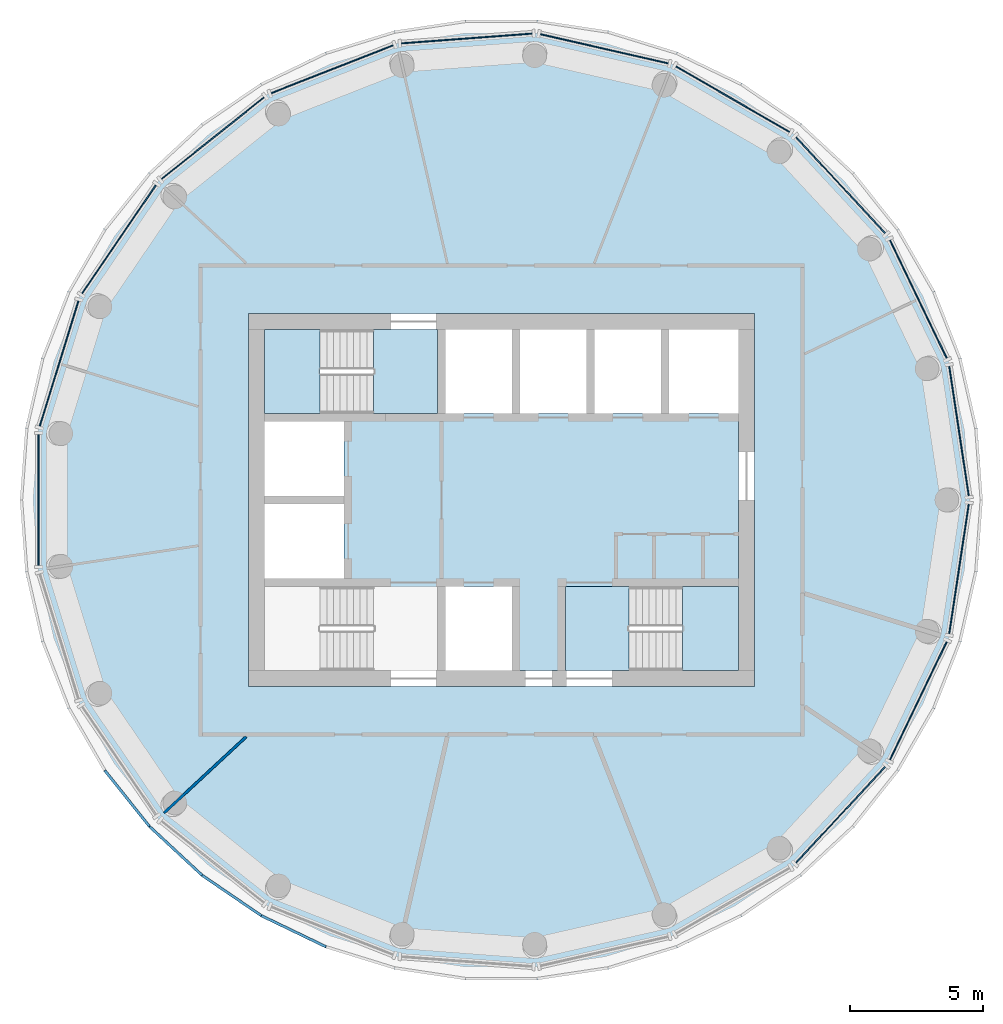
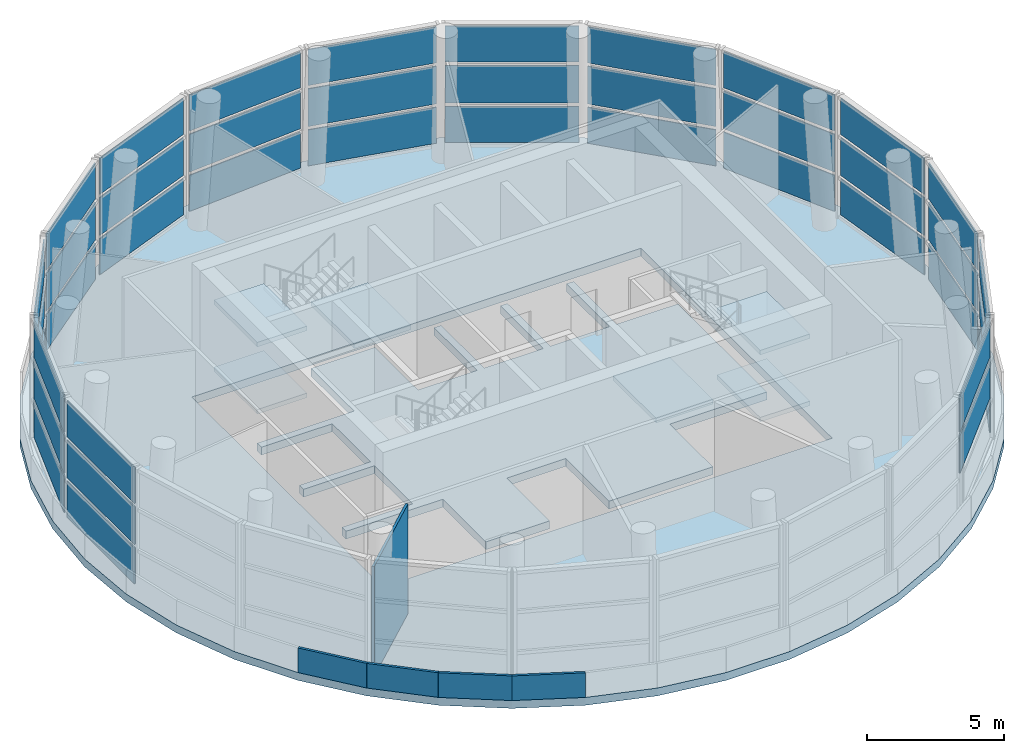
# One storey, part 4 of 10: 41 plates, 8 slabs, 5 walls, 16 elements without a shape of their own.
"""IFC4 building model written with IfcOpenShell, lengths in metres."""

from ifc_helpers import new_model, si_unit, direction, frame, frame_2d, origin, origin_2d, place, context, subcontext, project, spatial, polyline, rectangle, outline, extrude, material, layer, layer_set, type_object, element, aggregate, save


model = new_model("IFC4")

# Units and contexts
model_context = context("Model", 3, precision=1e-05, world=origin(), true_north=direction((0.0, 1.0)))
body_context = subcontext(model_context, "Body", "Model", "MODEL_VIEW")
ifc_project = project(units=[si_unit("LENGTHUNIT", "METRE"), si_unit("AREAUNIT", "SQUARE_METRE"), si_unit("VOLUMEUNIT", "CUBIC_METRE"), si_unit("PLANEANGLEUNIT", "RADIAN"), si_unit("MASSUNIT", "GRAM", prefix="KILO")], contexts=[model_context])

# Site, building, storey
site_placement = place(None, origin())
site = spatial("IfcSite", under=ifc_project, at=site_placement, CompositionType="ELEMENT")
building_placement = place(site_placement, origin())
building = spatial("IfcBuilding", under=site, at=building_placement, Name="Tracery Tower", CompositionType="ELEMENT")
storey_placement = place(building_placement, frame((0.0, 0.0, 352.199951171875)))
storey = spatial("IfcBuildingStorey", under=building, at=storey_placement, Name="L90", CompositionType="ELEMENT", Elevation=352.199951171875)

# Slabs
ifc_material_1 = material(Name="Concrete C40/50", Category="concrete")
ifc_layer_1 = layer(ifc_material_1, 0.35009765625)
ifc_layer_set_1 = layer_set([ifc_layer_1], Name="Core floor slab 350 C40")
slab_type_1 = type_object("IfcSlabType", Name="Core floor slab 350 C40", PredefinedType="FLOOR", material=ifc_layer_set_1)
slab_1_placement = place(storey_placement, frame((0.0, 0.0, -0.349853515625)))
element("IfcSlab", 1, at=slab_1_placement, inside=storey, type_object=slab_type_1, Name="L90 core floor 1", PredefinedType="FLOOR", context=body_context, shape_type="SweptSolid", body=[
    extrude(outline(polyline([(-4.800537109375, -3.25), (-8.89990234375, -3.25), (-8.89990234375, -2.949951171875), (-5.89990234375, -2.949951171875), (-5.89990234375, -0.14990234375), (-8.89990234375, -0.14990234375), (-8.89990234375, 0.14990234375), (-5.89990234375, 0.14990234375), (-5.89990234375, 2.949951171875), (-8.89990234375, 2.949951171875), (-8.89990234375, 3.25), (-4.800537109375, 3.25), (-4.800537109375, 6.39990234375), (-2.10009765625, 6.39990234375), (-2.10009765625, 3.25), (0.39990234375, 3.25), (0.39990234375, 6.39990234375), (0.699951171875, 6.39990234375), (0.699951171875, 3.25), (3.199951171875, 3.25), (3.199951171875, 6.39990234375), (3.5, 6.39990234375), (3.5, 3.25), (6.0, 3.25), (6.0, 6.39990234375), (6.300048828125, 6.39990234375), (6.300048828125, 3.25), (8.89990234375, 3.25), (8.89990234375, -3.25), (4.800537109375, -3.25), (4.800537109375, -6.39990234375), (0.39990234375, -6.39990234375), (0.39990234375, -3.25), (-2.10009765625, -3.25), (-2.10009765625, -6.39990234375), (-4.800537109375, -6.39990234375), (-4.800537109375, -3.25)])), origin(), (0.0, 0.0, 1.0), 0.349853515625),
])
ifc_material_2 = material(Name="Concrete C40/50", Category="concrete")
ifc_layer_2 = layer(ifc_material_2, 0.35009765625)
ifc_layer_set_2 = layer_set([ifc_layer_2], Name="Crown floor slab 350")
slab_type_2 = type_object("IfcSlabType", Name="Crown floor slab 350", PredefinedType="FLOOR", material=ifc_layer_set_2)
slab_2_placement = place(storey_placement, frame((0.0, 0.0, -0.349853515625)))
element("IfcSlab", 2, at=slab_2_placement, inside=storey, type_object=slab_type_2, Name="Floor slab L90", PredefinedType="FLOOR", context=body_context, shape_type="SweptSolid", body=[
    extrude(outline(polyline([(17.269287109375, -5.326904296875), (17.870361328125, -2.693603515625), (18.072265625, 0.0), (17.870361328125, 2.693603515625), (17.269287109375, 5.326904296875), (16.282470703125, 7.84130859375), (14.931884765625, 10.180419921875), (13.247802734375, 12.292236328125), (11.267822265625, 14.12939453125), (9.0361328125, 15.65087890625), (6.6025390625, 16.822998046875), (4.021484375, 17.619140625), (1.3505859375, 18.021728515625), (-1.3505859375, 18.021728515625), (-4.021484375, 17.619140625), (-6.6025390625, 16.822998046875), (-9.0361328125, 15.65087890625), (-11.267822265625, 14.12939453125), (-13.247802734375, 12.292236328125), (-14.931884765625, 10.180419921875), (-16.282470703125, 7.84130859375), (-17.269287109375, 5.326904296875), (-17.870361328125, 2.693603515625), (-18.072265625, 0.0), (-17.870361328125, -2.693603515625), (-17.269287109375, -5.326904296875), (-16.282470703125, -7.84130859375), (-14.931884765625, -10.180419921875), (-13.247802734375, -12.292236328125), (-11.267822265625, -14.12939453125), (-9.0361328125, -15.65087890625), (-6.6025390625, -16.822998046875), (-4.021484375, -17.619140625), (-1.3505859375, -18.021728515625), (1.3505859375, -18.021728515625), (4.021484375, -17.619140625), (6.6025390625, -16.822998046875), (9.0361328125, -15.65087890625), (11.267822265625, -14.12939453125), (13.247802734375, -12.292236328125), (14.931884765625, -10.180419921875), (16.282470703125, -7.84130859375), (17.269287109375, -5.326904296875)]), holes=[polyline([(-9.5, -7.0), (9.5, -7.0), (9.5, 7.0), (-9.5, 7.0), (-9.5, -7.0)])]), origin(), (0.0, 0.0, 1.0), 0.349853515625),
])

# Curtain wall, plates
ifc_material_3 = material(Name="Aluminium curtain wall with tinted glass", Category="aluminium")
curtain_wall_type = type_object("IfcCurtainWallType", Name="Observation upper deck glazing curtain wall", PredefinedType="NOTDEFINED", material=ifc_material_3)
curtain_wall_1_placement = place(storey_placement, origin())
curtain_wall_1 = element("IfcCurtainWall", 3, at=curtain_wall_1_placement, inside=storey, type_object=curtain_wall_type, Name="Observation upper deck glazing run 00", PredefinedType="NOTDEFINED")
ifc_material_4 = material(Name="Tinted laminated glass", Category="glass")
ifc_layer_3 = layer(ifc_material_4, 0.048095703125)
ifc_layer_set_3 = layer_set([ifc_layer_3], Name="Observation upper deck glazing glass panel 48")
plate_type = type_object("IfcPlateType", Name="Observation upper deck glazing glass panel 48", PredefinedType="CURTAIN_PANEL", material=ifc_layer_set_3)
plate_1_placement = place(storey_placement, frame((17.181884765625, 2.58984375, 0.14990234375), z_axis=(0.0, 0.0, 1.0), x_axis=(-0.149033444728, 0.988832155804, 0.0)))
plate_1 = element("IfcPlate", 4, at=plate_1_placement, type_object=plate_type, Name="CWB5 panel 1.1", PredefinedType="CURTAIN_PANEL", context=body_context, shape_type="SweptSolid", body=[
    extrude(rectangle(XDim=4.91796875, YDim=0.048095703125, at=origin_2d()), origin(), (0.0, 0.0, 1.0), 1.6083984375),
])
plate_2_placement = place(storey_placement, frame((17.181884765625, 2.58984375, 1.908203125), z_axis=(0.0, 0.0, 1.0), x_axis=(-0.149033444728, 0.988832155804, 0.0)))
plate_2 = element("IfcPlate", 5, at=plate_2_placement, type_object=plate_type, Name="CWB5 panel 1.2", PredefinedType="CURTAIN_PANEL", context=body_context, shape_type="SweptSolid", body=[
    extrude(rectangle(XDim=4.91796875, YDim=0.048095703125, at=origin_2d()), origin(), (0.0, 0.0, 1.0), 1.683349609375),
])
plate_3_placement = place(storey_placement, frame((17.181884765625, 2.58984375, 3.74169921875), z_axis=(0.0, 0.0, 1.0), x_axis=(-0.149033444728, 0.988832155804, 0.0)))
plate_3 = element("IfcPlate", 6, at=plate_3_placement, type_object=plate_type, Name="CWB5 panel 1.3", PredefinedType="CURTAIN_PANEL", context=body_context, shape_type="SweptSolid", body=[
    extrude(rectangle(XDim=4.91796875, YDim=0.048095703125, at=origin_2d()), origin(), (0.0, 0.0, 1.0), 1.6083984375),
])
aggregate(curtain_wall_1, [plate_1, plate_2, plate_3])

curtain_wall_2_placement = place(storey_placement, origin())
curtain_wall_2 = element("IfcCurtainWall", 7, at=curtain_wall_2_placement, inside=storey, type_object=curtain_wall_type, Name="Observation upper deck glazing run 01", PredefinedType="NOTDEFINED")
plate_4_placement = place(storey_placement, frame((15.6552734375, 7.5390625, 0.14990234375), z_axis=(0.0, 0.0, 1.0), x_axis=(-0.433887898778, 0.900966864704, 0.0)))
plate_4 = element("IfcPlate", 8, at=plate_4_placement, type_object=plate_type, Name="CWB5 panel 1.1", PredefinedType="CURTAIN_PANEL", context=body_context, shape_type="SweptSolid", body=[
    extrude(rectangle(XDim=4.91796875, YDim=0.048095703125, at=origin_2d()), origin(), (0.0, 0.0, 1.0), 1.6083984375),
])
plate_5_placement = place(storey_placement, frame((15.6552734375, 7.5390625, 1.908203125), z_axis=(0.0, 0.0, 1.0), x_axis=(-0.433887898778, 0.900966864704, 0.0)))
plate_5 = element("IfcPlate", 9, at=plate_5_placement, type_object=plate_type, Name="CWB5 panel 1.2", PredefinedType="CURTAIN_PANEL", context=body_context, shape_type="SweptSolid", body=[
    extrude(rectangle(XDim=4.91796875, YDim=0.048095703125, at=origin_2d()), origin(), (0.0, 0.0, 1.0), 1.683349609375),
])
plate_6_placement = place(storey_placement, frame((15.6552734375, 7.5390625, 3.74169921875), z_axis=(0.0, 0.0, 1.0), x_axis=(-0.433887898778, 0.900966864704, 0.0)))
plate_6 = element("IfcPlate", 10, at=plate_6_placement, type_object=plate_type, Name="CWB5 panel 1.3", PredefinedType="CURTAIN_PANEL", context=body_context, shape_type="SweptSolid", body=[
    extrude(rectangle(XDim=4.91796875, YDim=0.048095703125, at=origin_2d()), origin(), (0.0, 0.0, 1.0), 1.6083984375),
])
aggregate(curtain_wall_2, [plate_4, plate_5, plate_6])

curtain_wall_3_placement = place(storey_placement, origin())
curtain_wall_3 = element("IfcCurtainWall", 11, at=curtain_wall_3_placement, inside=storey, type_object=curtain_wall_type, Name="Observation upper deck glazing run 02", PredefinedType="NOTDEFINED")
plate_7_placement = place(storey_placement, frame((12.737548828125, 11.818603515625, 0.14990234375), z_axis=(0.0, 0.0, 1.0), x_axis=(-0.680167727071, 0.733056521048, 0.0)))
plate_7 = element("IfcPlate", 12, at=plate_7_placement, type_object=plate_type, Name="CWB5 panel 1.1", PredefinedType="CURTAIN_PANEL", context=body_context, shape_type="SweptSolid", body=[
    extrude(rectangle(XDim=4.91796875, YDim=0.048095703125, at=origin_2d()), origin(), (0.0, 0.0, 1.0), 1.6083984375),
])
plate_8_placement = place(storey_placement, frame((12.737548828125, 11.818603515625, 1.908203125), z_axis=(0.0, 0.0, 1.0), x_axis=(-0.680167727071, 0.733056521048, 0.0)))
plate_8 = element("IfcPlate", 13, at=plate_8_placement, type_object=plate_type, Name="CWB5 panel 1.2", PredefinedType="CURTAIN_PANEL", context=body_context, shape_type="SweptSolid", body=[
    extrude(rectangle(XDim=4.91796875, YDim=0.048095703125, at=origin_2d()), origin(), (0.0, 0.0, 1.0), 1.683349609375),
])
plate_9_placement = place(storey_placement, frame((12.737548828125, 11.818603515625, 3.74169921875), z_axis=(0.0, 0.0, 1.0), x_axis=(-0.680167727071, 0.733056521048, 0.0)))
plate_9 = element("IfcPlate", 14, at=plate_9_placement, type_object=plate_type, Name="CWB5 panel 1.3", PredefinedType="CURTAIN_PANEL", context=body_context, shape_type="SweptSolid", body=[
    extrude(rectangle(XDim=4.91796875, YDim=0.048095703125, at=origin_2d()), origin(), (0.0, 0.0, 1.0), 1.6083984375),
])
aggregate(curtain_wall_3, [plate_7, plate_8, plate_9])

curtain_wall_4_placement = place(storey_placement, origin())
curtain_wall_4 = element("IfcCurtainWall", 15, at=curtain_wall_4_placement, inside=storey, type_object=curtain_wall_type, Name="Observation upper deck glazing run 03", PredefinedType="NOTDEFINED")
plate_10_placement = place(storey_placement, frame((8.68798828125, 15.048095703125, 0.14990234375), z_axis=(0.0, 0.0, 1.0), x_axis=(-0.866022542521, 0.500004955821, 0.0)))
plate_10 = element("IfcPlate", 16, at=plate_10_placement, type_object=plate_type, Name="CWB5 panel 1.1", PredefinedType="CURTAIN_PANEL", context=body_context, shape_type="SweptSolid", body=[
    extrude(rectangle(XDim=4.91796875, YDim=0.048095703125, at=origin_2d()), origin(), (0.0, 0.0, 1.0), 1.6083984375),
])
plate_11_placement = place(storey_placement, frame((8.68798828125, 15.048095703125, 1.908203125), z_axis=(0.0, 0.0, 1.0), x_axis=(-0.866022542521, 0.500004955821, 0.0)))
plate_11 = element("IfcPlate", 17, at=plate_11_placement, type_object=plate_type, Name="CWB5 panel 1.2", PredefinedType="CURTAIN_PANEL", context=body_context, shape_type="SweptSolid", body=[
    extrude(rectangle(XDim=4.91796875, YDim=0.048095703125, at=origin_2d()), origin(), (0.0, 0.0, 1.0), 1.683349609375),
])
plate_12_placement = place(storey_placement, frame((8.68798828125, 15.048095703125, 3.74169921875), z_axis=(0.0, 0.0, 1.0), x_axis=(-0.866022542521, 0.500004955821, 0.0)))
plate_12 = element("IfcPlate", 18, at=plate_12_placement, type_object=plate_type, Name="CWB5 panel 1.3", PredefinedType="CURTAIN_PANEL", context=body_context, shape_type="SweptSolid", body=[
    extrude(rectangle(XDim=4.91796875, YDim=0.048095703125, at=origin_2d()), origin(), (0.0, 0.0, 1.0), 1.6083984375),
])
aggregate(curtain_wall_4, [plate_10, plate_11, plate_12])

curtain_wall_5_placement = place(storey_placement, origin())
curtain_wall_5 = element("IfcCurtainWall", 19, at=curtain_wall_5_placement, inside=storey, type_object=curtain_wall_type, Name="Observation upper deck glazing run 04", PredefinedType="NOTDEFINED")
plate_13_placement = place(storey_placement, frame((3.866455078125, 16.940185546875, 0.14990234375), z_axis=(0.0, 0.0, 1.0), x_axis=(-0.974925604531, 0.222531044196, 0.0)))
plate_13 = element("IfcPlate", 20, at=plate_13_placement, type_object=plate_type, Name="CWB5 panel 1.1", PredefinedType="CURTAIN_PANEL", context=body_context, shape_type="SweptSolid", body=[
    extrude(rectangle(XDim=4.91796875, YDim=0.048095703125, at=origin_2d()), origin(), (0.0, 0.0, 1.0), 1.6083984375),
])
plate_14_placement = place(storey_placement, frame((3.866455078125, 16.940185546875, 1.908203125), z_axis=(0.0, 0.0, 1.0), x_axis=(-0.974925604531, 0.222531044196, 0.0)))
plate_14 = element("IfcPlate", 21, at=plate_14_placement, type_object=plate_type, Name="CWB5 panel 1.2", PredefinedType="CURTAIN_PANEL", context=body_context, shape_type="SweptSolid", body=[
    extrude(rectangle(XDim=4.91796875, YDim=0.048095703125, at=origin_2d()), origin(), (0.0, 0.0, 1.0), 1.683349609375),
])
plate_15_placement = place(storey_placement, frame((3.866455078125, 16.940185546875, 3.74169921875), z_axis=(0.0, 0.0, 1.0), x_axis=(-0.974925604531, 0.222531044196, 0.0)))
plate_15 = element("IfcPlate", 22, at=plate_15_placement, type_object=plate_type, Name="CWB5 panel 1.3", PredefinedType="CURTAIN_PANEL", context=body_context, shape_type="SweptSolid", body=[
    extrude(rectangle(XDim=4.91796875, YDim=0.048095703125, at=origin_2d()), origin(), (0.0, 0.0, 1.0), 1.6083984375),
])
aggregate(curtain_wall_5, [plate_13, plate_14, plate_15])

curtain_wall_6_placement = place(storey_placement, origin())
curtain_wall_6 = element("IfcCurtainWall", 23, at=curtain_wall_6_placement, inside=storey, type_object=curtain_wall_type, Name="Observation upper deck glazing run 05", PredefinedType="NOTDEFINED")
plate_16_placement = place(storey_placement, frame((-1.298583984375, 17.327392578125, 0.14990234375), z_axis=(0.0, 0.0, 1.0), x_axis=(-0.997203212491, -0.074737895326, 0.0)))
plate_16 = element("IfcPlate", 24, at=plate_16_placement, type_object=plate_type, Name="CWB5 panel 1.1", PredefinedType="CURTAIN_PANEL", context=body_context, shape_type="SweptSolid", body=[
    extrude(rectangle(XDim=4.91796875, YDim=0.048095703125, at=origin_2d()), origin(), (0.0, 0.0, 1.0), 1.6083984375),
])
plate_17_placement = place(storey_placement, frame((-1.298583984375, 17.327392578125, 1.908203125), z_axis=(0.0, 0.0, 1.0), x_axis=(-0.997203212491, -0.074737895326, 0.0)))
plate_17 = element("IfcPlate", 25, at=plate_17_placement, type_object=plate_type, Name="CWB5 panel 1.2", PredefinedType="CURTAIN_PANEL", context=body_context, shape_type="SweptSolid", body=[
    extrude(rectangle(XDim=4.91796875, YDim=0.048095703125, at=origin_2d()), origin(), (0.0, 0.0, 1.0), 1.683349609375),
])
plate_18_placement = place(storey_placement, frame((-1.298583984375, 17.327392578125, 3.74169921875), z_axis=(0.0, 0.0, 1.0), x_axis=(-0.997203212491, -0.074737895326, 0.0)))
plate_18 = element("IfcPlate", 26, at=plate_18_placement, type_object=plate_type, Name="CWB5 panel 1.3", PredefinedType="CURTAIN_PANEL", context=body_context, shape_type="SweptSolid", body=[
    extrude(rectangle(XDim=4.91796875, YDim=0.048095703125, at=origin_2d()), origin(), (0.0, 0.0, 1.0), 1.6083984375),
])
aggregate(curtain_wall_6, [plate_16, plate_17, plate_18])

curtain_wall_7_placement = place(storey_placement, origin())
curtain_wall_7 = element("IfcCurtainWall", 27, at=curtain_wall_7_placement, inside=storey, type_object=curtain_wall_type, Name="Observation upper deck glazing run 06", PredefinedType="NOTDEFINED")
plate_19_placement = place(storey_placement, frame((-6.34814453125, 16.1748046875, 0.14990234375), z_axis=(0.0, 0.0, 1.0), x_axis=(-0.93087703768, -0.365332643928, 0.0)))
plate_19 = element("IfcPlate", 28, at=plate_19_placement, type_object=plate_type, Name="CWB5 panel 1.1", PredefinedType="CURTAIN_PANEL", context=body_context, shape_type="SweptSolid", body=[
    extrude(rectangle(XDim=4.91796875, YDim=0.048095703125, at=origin_2d()), origin(), (0.0, 0.0, 1.0), 1.6083984375),
])
plate_20_placement = place(storey_placement, frame((-6.34814453125, 16.1748046875, 1.908203125), z_axis=(0.0, 0.0, 1.0), x_axis=(-0.93087703768, -0.365332643928, 0.0)))
plate_20 = element("IfcPlate", 29, at=plate_20_placement, type_object=plate_type, Name="CWB5 panel 1.2", PredefinedType="CURTAIN_PANEL", context=body_context, shape_type="SweptSolid", body=[
    extrude(rectangle(XDim=4.91796875, YDim=0.048095703125, at=origin_2d()), origin(), (0.0, 0.0, 1.0), 1.683349609375),
])
plate_21_placement = place(storey_placement, frame((-6.34814453125, 16.1748046875, 3.74169921875), z_axis=(0.0, 0.0, 1.0), x_axis=(-0.93087703768, -0.365332643928, 0.0)))
plate_21 = element("IfcPlate", 30, at=plate_21_placement, type_object=plate_type, Name="CWB5 panel 1.3", PredefinedType="CURTAIN_PANEL", context=body_context, shape_type="SweptSolid", body=[
    extrude(rectangle(XDim=4.91796875, YDim=0.048095703125, at=origin_2d()), origin(), (0.0, 0.0, 1.0), 1.6083984375),
])
aggregate(curtain_wall_7, [plate_19, plate_20, plate_21])

curtain_wall_8_placement = place(storey_placement, origin())
curtain_wall_8 = element("IfcCurtainWall", 31, at=curtain_wall_8_placement, inside=storey, type_object=curtain_wall_type, Name="Observation upper deck glazing run 07", PredefinedType="NOTDEFINED")
plate_22_placement = place(storey_placement, frame((-10.833740234375, 13.5849609375, 0.14990234375), z_axis=(0.0, 0.0, 1.0), x_axis=(-0.781838186307, -0.623481395418, 0.0)))
plate_22 = element("IfcPlate", 32, at=plate_22_placement, type_object=plate_type, Name="CWB5 panel 1.1", PredefinedType="CURTAIN_PANEL", context=body_context, shape_type="SweptSolid", body=[
    extrude(rectangle(XDim=4.91796875, YDim=0.048095703125, at=origin_2d()), origin(), (0.0, 0.0, 1.0), 1.6083984375),
])
plate_23_placement = place(storey_placement, frame((-10.833740234375, 13.5849609375, 1.908203125), z_axis=(0.0, 0.0, 1.0), x_axis=(-0.781838186307, -0.623481395418, 0.0)))
plate_23 = element("IfcPlate", 33, at=plate_23_placement, type_object=plate_type, Name="CWB5 panel 1.2", PredefinedType="CURTAIN_PANEL", context=body_context, shape_type="SweptSolid", body=[
    extrude(rectangle(XDim=4.91796875, YDim=0.048095703125, at=origin_2d()), origin(), (0.0, 0.0, 1.0), 1.683349609375),
])
plate_24_placement = place(storey_placement, frame((-10.833740234375, 13.5849609375, 3.74169921875), z_axis=(0.0, 0.0, 1.0), x_axis=(-0.781838186307, -0.623481395418, 0.0)))
plate_24 = element("IfcPlate", 34, at=plate_24_placement, type_object=plate_type, Name="CWB5 panel 1.3", PredefinedType="CURTAIN_PANEL", context=body_context, shape_type="SweptSolid", body=[
    extrude(rectangle(XDim=4.91796875, YDim=0.048095703125, at=origin_2d()), origin(), (0.0, 0.0, 1.0), 1.6083984375),
])
aggregate(curtain_wall_8, [plate_22, plate_23, plate_24])

curtain_wall_9_placement = place(storey_placement, origin())
curtain_wall_9 = element("IfcCurtainWall", 35, at=curtain_wall_9_placement, inside=storey, type_object=curtain_wall_type, Name="Observation upper deck glazing run 08", PredefinedType="NOTDEFINED")
plate_25_placement = place(storey_placement, frame((-14.356689453125, 9.7880859375, 0.14990234375), z_axis=(0.0, 0.0, 1.0), x_axis=(-0.563313964504, -0.826242928802, 0.0)))
plate_25 = element("IfcPlate", 36, at=plate_25_placement, type_object=plate_type, Name="CWB5 panel 1.1", PredefinedType="CURTAIN_PANEL", context=body_context, shape_type="SweptSolid", body=[
    extrude(rectangle(XDim=4.91796875, YDim=0.048095703125, at=origin_2d()), origin(), (0.0, 0.0, 1.0), 1.6083984375),
])
plate_26_placement = place(storey_placement, frame((-14.356689453125, 9.7880859375, 1.908203125), z_axis=(0.0, 0.0, 1.0), x_axis=(-0.563313964504, -0.826242928802, 0.0)))
plate_26 = element("IfcPlate", 37, at=plate_26_placement, type_object=plate_type, Name="CWB5 panel 1.2", PredefinedType="CURTAIN_PANEL", context=body_context, shape_type="SweptSolid", body=[
    extrude(rectangle(XDim=4.91796875, YDim=0.048095703125, at=origin_2d()), origin(), (0.0, 0.0, 1.0), 1.683349609375),
])
plate_27_placement = place(storey_placement, frame((-14.356689453125, 9.7880859375, 3.74169921875), z_axis=(0.0, 0.0, 1.0), x_axis=(-0.563313964504, -0.826242928802, 0.0)))
plate_27 = element("IfcPlate", 38, at=plate_27_placement, type_object=plate_type, Name="CWB5 panel 1.3", PredefinedType="CURTAIN_PANEL", context=body_context, shape_type="SweptSolid", body=[
    extrude(rectangle(XDim=4.91796875, YDim=0.048095703125, at=origin_2d()), origin(), (0.0, 0.0, 1.0), 1.6083984375),
])
aggregate(curtain_wall_9, [plate_25, plate_26, plate_27])

curtain_wall_10_placement = place(storey_placement, origin())
curtain_wall_10 = element("IfcCurtainWall", 39, at=curtain_wall_10_placement, inside=storey, type_object=curtain_wall_type, Name="Observation upper deck glazing run 09", PredefinedType="NOTDEFINED")
plate_28_placement = place(storey_placement, frame((-16.60400390625, 5.12158203125, 0.14990234375), z_axis=(0.0, 0.0, 1.0), x_axis=(-0.294743791615, -0.95557631684, 0.0)))
plate_28 = element("IfcPlate", 40, at=plate_28_placement, type_object=plate_type, Name="CWB5 panel 1.1", PredefinedType="CURTAIN_PANEL", context=body_context, shape_type="SweptSolid", body=[
    extrude(rectangle(XDim=4.91796875, YDim=0.048095703125, at=origin_2d()), origin(), (0.0, 0.0, 1.0), 1.6083984375),
])
plate_29_placement = place(storey_placement, frame((-16.60400390625, 5.12158203125, 1.908203125), z_axis=(0.0, 0.0, 1.0), x_axis=(-0.294743791615, -0.95557631684, 0.0)))
plate_29 = element("IfcPlate", 41, at=plate_29_placement, type_object=plate_type, Name="CWB5 panel 1.2", PredefinedType="CURTAIN_PANEL", context=body_context, shape_type="SweptSolid", body=[
    extrude(rectangle(XDim=4.91796875, YDim=0.048095703125, at=origin_2d()), origin(), (0.0, 0.0, 1.0), 1.683349609375),
])
plate_30_placement = place(storey_placement, frame((-16.60400390625, 5.12158203125, 3.74169921875), z_axis=(0.0, 0.0, 1.0), x_axis=(-0.294743791615, -0.95557631684, 0.0)))
plate_30 = element("IfcPlate", 42, at=plate_30_placement, type_object=plate_type, Name="CWB5 panel 1.3", PredefinedType="CURTAIN_PANEL", context=body_context, shape_type="SweptSolid", body=[
    extrude(rectangle(XDim=4.91796875, YDim=0.048095703125, at=origin_2d()), origin(), (0.0, 0.0, 1.0), 1.6083984375),
])
aggregate(curtain_wall_10, [plate_28, plate_29, plate_30])

curtain_wall_11_placement = place(storey_placement, origin())
curtain_wall_11 = element("IfcCurtainWall", 43, at=curtain_wall_11_placement, inside=storey, type_object=curtain_wall_type, Name="Observation upper deck glazing run 10", PredefinedType="NOTDEFINED")
plate_31_placement = place(storey_placement, frame((-17.3759765625, 0.0, 0.14990234375), z_axis=(0.0, 0.0, 1.0), x_axis=(0.0, -1.0, 0.0)))
plate_31 = element("IfcPlate", 44, at=plate_31_placement, type_object=plate_type, Name="CWB5 panel 1.1", PredefinedType="CURTAIN_PANEL", context=body_context, shape_type="SweptSolid", body=[
    extrude(rectangle(XDim=4.91796875, YDim=0.048095703125, at=origin_2d()), origin(), (0.0, 0.0, 1.0), 1.6083984375),
])
plate_32_placement = place(storey_placement, frame((-17.3759765625, 0.0, 1.908203125), z_axis=(0.0, 0.0, 1.0), x_axis=(0.0, -1.0, 0.0)))
plate_32 = element("IfcPlate", 45, at=plate_32_placement, type_object=plate_type, Name="CWB5 panel 1.2", PredefinedType="CURTAIN_PANEL", context=body_context, shape_type="SweptSolid", body=[
    extrude(rectangle(XDim=4.91796875, YDim=0.048095703125, at=origin_2d()), origin(), (0.0, 0.0, 1.0), 1.683349609375),
])
plate_33_placement = place(storey_placement, frame((-17.3759765625, 0.0, 3.74169921875), z_axis=(0.0, 0.0, 1.0), x_axis=(0.0, -1.0, 0.0)))
plate_33 = element("IfcPlate", 46, at=plate_33_placement, type_object=plate_type, Name="CWB5 panel 1.3", PredefinedType="CURTAIN_PANEL", context=body_context, shape_type="SweptSolid", body=[
    extrude(rectangle(XDim=4.91796875, YDim=0.048095703125, at=origin_2d()), origin(), (0.0, 0.0, 1.0), 1.6083984375),
])
aggregate(curtain_wall_11, [plate_31, plate_32, plate_33])

curtain_wall_12_placement = place(storey_placement, origin())
curtain_wall_12 = element("IfcCurtainWall", 47, at=curtain_wall_12_placement, inside=storey, type_object=curtain_wall_type, Name="Observation upper deck glazing run 18", PredefinedType="NOTDEFINED")
plate_34_placement = place(storey_placement, frame((12.737548828125, -11.818603515625, 1.908203125), z_axis=(0.0, 0.0, 1.0), x_axis=(0.680167727071, 0.733056521048, 0.0)))
plate_34 = element("IfcPlate", 48, at=plate_34_placement, type_object=plate_type, Name="CWB5 panel 1.2", PredefinedType="CURTAIN_PANEL", context=body_context, shape_type="SweptSolid", body=[
    extrude(rectangle(XDim=4.91796875, YDim=0.048095703125, at=origin_2d()), origin(), (0.0, 0.0, 1.0), 1.683349609375),
])
plate_35_placement = place(storey_placement, frame((12.737548828125, -11.818603515625, 3.74169921875), z_axis=(0.0, 0.0, 1.0), x_axis=(0.680167727071, 0.733056521048, 0.0)))
plate_35 = element("IfcPlate", 49, at=plate_35_placement, type_object=plate_type, Name="CWB5 panel 1.3", PredefinedType="CURTAIN_PANEL", context=body_context, shape_type="SweptSolid", body=[
    extrude(rectangle(XDim=4.91796875, YDim=0.048095703125, at=origin_2d()), origin(), (0.0, 0.0, 1.0), 1.6083984375),
])
aggregate(curtain_wall_12, [plate_34, plate_35])

curtain_wall_13_placement = place(storey_placement, origin())
curtain_wall_13 = element("IfcCurtainWall", 50, at=curtain_wall_13_placement, inside=storey, type_object=curtain_wall_type, Name="Observation upper deck glazing run 19", PredefinedType="NOTDEFINED")
plate_36_placement = place(storey_placement, frame((15.6552734375, -7.5390625, 0.14990234375), z_axis=(0.0, 0.0, 1.0), x_axis=(0.433887898778, 0.900966864704, 0.0)))
plate_36 = element("IfcPlate", 51, at=plate_36_placement, type_object=plate_type, Name="CWB5 panel 1.1", PredefinedType="CURTAIN_PANEL", context=body_context, shape_type="SweptSolid", body=[
    extrude(rectangle(XDim=4.91796875, YDim=0.048095703125, at=origin_2d()), origin(), (0.0, 0.0, 1.0), 1.6083984375),
])
plate_37_placement = place(storey_placement, frame((15.6552734375, -7.5390625, 1.908203125), z_axis=(0.0, 0.0, 1.0), x_axis=(0.433887898778, 0.900966864704, 0.0)))
plate_37 = element("IfcPlate", 52, at=plate_37_placement, type_object=plate_type, Name="CWB5 panel 1.2", PredefinedType="CURTAIN_PANEL", context=body_context, shape_type="SweptSolid", body=[
    extrude(rectangle(XDim=4.91796875, YDim=0.048095703125, at=origin_2d()), origin(), (0.0, 0.0, 1.0), 1.683349609375),
])
plate_38_placement = place(storey_placement, frame((15.6552734375, -7.5390625, 3.74169921875), z_axis=(0.0, 0.0, 1.0), x_axis=(0.433887898778, 0.900966864704, 0.0)))
plate_38 = element("IfcPlate", 53, at=plate_38_placement, type_object=plate_type, Name="CWB5 panel 1.3", PredefinedType="CURTAIN_PANEL", context=body_context, shape_type="SweptSolid", body=[
    extrude(rectangle(XDim=4.91796875, YDim=0.048095703125, at=origin_2d()), origin(), (0.0, 0.0, 1.0), 1.6083984375),
])
aggregate(curtain_wall_13, [plate_36, plate_37, plate_38])

curtain_wall_14_placement = place(storey_placement, origin())
curtain_wall_14 = element("IfcCurtainWall", 54, at=curtain_wall_14_placement, inside=storey, type_object=curtain_wall_type, Name="Observation upper deck glazing run 20", PredefinedType="NOTDEFINED")
plate_39_placement = place(storey_placement, frame((17.181884765625, -2.58984375, 0.14990234375), z_axis=(0.0, 0.0, 1.0), x_axis=(0.149033444728, 0.988832155804, 0.0)))
plate_39 = element("IfcPlate", 55, at=plate_39_placement, type_object=plate_type, Name="CWB5 panel 1.1", PredefinedType="CURTAIN_PANEL", context=body_context, shape_type="SweptSolid", body=[
    extrude(rectangle(XDim=4.91796875, YDim=0.048095703125, at=origin_2d()), origin(), (0.0, 0.0, 1.0), 1.6083984375),
])
plate_40_placement = place(storey_placement, frame((17.181884765625, -2.58984375, 1.908203125), z_axis=(0.0, 0.0, 1.0), x_axis=(0.149033444728, 0.988832155804, 0.0)))
plate_40 = element("IfcPlate", 56, at=plate_40_placement, type_object=plate_type, Name="CWB5 panel 1.2", PredefinedType="CURTAIN_PANEL", context=body_context, shape_type="SweptSolid", body=[
    extrude(rectangle(XDim=4.91796875, YDim=0.048095703125, at=origin_2d()), origin(), (0.0, 0.0, 1.0), 1.683349609375),
])
plate_41_placement = place(storey_placement, frame((17.181884765625, -2.58984375, 3.74169921875), z_axis=(0.0, 0.0, 1.0), x_axis=(0.149033444728, 0.988832155804, 0.0)))
plate_41 = element("IfcPlate", 57, at=plate_41_placement, type_object=plate_type, Name="CWB5 panel 1.3", PredefinedType="CURTAIN_PANEL", context=body_context, shape_type="SweptSolid", body=[
    extrude(rectangle(XDim=4.91796875, YDim=0.048095703125, at=origin_2d()), origin(), (0.0, 0.0, 1.0), 1.6083984375),
])
aggregate(curtain_wall_14, [plate_39, plate_40, plate_41])

# Stair, slabs
ifc_material_5 = material(Name="Concrete C32/40", Category="concrete")
stair_type = type_object("IfcStairType", Name="Core stair 36 risers", PredefinedType="HALF_TURN_STAIR", material=ifc_material_5)
stair_1_placement = place(storey_placement, origin())
stair_1 = element("IfcStair", 58, at=stair_1_placement, inside=storey, type_object=stair_type, Name="L90 stair ST3", PredefinedType="HALF_TURN_STAIR")
ifc_material_6 = material(Name="Concrete C32/40", Category="concrete")
ifc_layer_4 = layer(ifc_material_6, 0.199951171875)
ifc_layer_set_4 = layer_set([ifc_layer_4], Name="Stair landing slab 200")
slab_type_3 = type_object("IfcSlabType", Name="Stair landing slab 200", PredefinedType="LANDING", material=ifc_layer_set_4)
slab_3_placement = place(storey_placement, frame((0.0, 0.0, 1.300048828125)))
slab_3 = element("IfcSlab", 59, at=slab_3_placement, type_object=slab_type_3, Name="ST3 landing 1", PredefinedType="LANDING", context=body_context, shape_type="SweptSolid", body=[
    extrude(outline(polyline([(-6.79931640625, 6.39990234375), (-8.89990234375, 6.39990234375), (-8.89990234375, 3.25), (-6.79931640625, 3.25), (-6.79931640625, 6.39990234375)])), origin(), (0.0, 0.0, 1.0), 0.199951171875),
])
slab_4_placement = place(storey_placement, frame((0.0, 0.0, 2.800048828125)))
slab_4 = element("IfcSlab", 60, at=slab_4_placement, type_object=slab_type_3, Name="ST3 landing 2", PredefinedType="LANDING", context=body_context, shape_type="SweptSolid", body=[
    extrude(outline(polyline([(-2.39990234375, 6.39990234375), (-4.800537109375, 6.39990234375), (-4.800537109375, 3.25), (-2.39990234375, 3.25), (-2.39990234375, 6.39990234375)])), origin(), (0.0, 0.0, 1.0), 0.199951171875),
])
slab_5_placement = place(storey_placement, frame((0.0, 0.0, 4.300048828125)))
slab_5 = element("IfcSlab", 61, at=slab_5_placement, type_object=slab_type_3, Name="ST3 landing 3", PredefinedType="LANDING", context=body_context, shape_type="SweptSolid", body=[
    extrude(outline(polyline([(-6.79931640625, 6.39990234375), (-8.89990234375, 6.39990234375), (-8.89990234375, 3.25), (-6.79931640625, 3.25), (-6.79931640625, 6.39990234375)])), origin(), (0.0, 0.0, 1.0), 0.199951171875),
])
aggregate(stair_1, [slab_3, slab_4, slab_5])

stair_2_placement = place(storey_placement, origin())
stair_2 = element("IfcStair", 62, at=stair_2_placement, inside=storey, type_object=stair_type, Name="L90 stair ST2", PredefinedType="HALF_TURN_STAIR")
slab_6_placement = place(storey_placement, frame((0.0, 0.0, 1.300048828125)))
slab_6 = element("IfcSlab", 63, at=slab_6_placement, type_object=slab_type_3, Name="ST2 landing 1", PredefinedType="LANDING", context=body_context, shape_type="SweptSolid", body=[
    extrude(outline(polyline([(6.79931640625, -6.39990234375), (8.89990234375, -6.39990234375), (8.89990234375, -3.25), (6.79931640625, -3.25), (6.79931640625, -6.39990234375)])), origin(), (0.0, 0.0, 1.0), 0.199951171875),
])
slab_7_placement = place(storey_placement, frame((0.0, 0.0, 2.800048828125)))
slab_7 = element("IfcSlab", 64, at=slab_7_placement, type_object=slab_type_3, Name="ST2 landing 2", PredefinedType="LANDING", context=body_context, shape_type="SweptSolid", body=[
    extrude(outline(polyline([(2.39990234375, -6.39990234375), (4.800537109375, -6.39990234375), (4.800537109375, -3.25), (2.39990234375, -3.25), (2.39990234375, -6.39990234375)])), origin(), (0.0, 0.0, 1.0), 0.199951171875),
])
slab_8_placement = place(storey_placement, frame((0.0, 0.0, 4.300048828125)))
slab_8 = element("IfcSlab", 65, at=slab_8_placement, type_object=slab_type_3, Name="ST2 landing 3", PredefinedType="LANDING", context=body_context, shape_type="SweptSolid", body=[
    extrude(outline(polyline([(6.79931640625, -6.39990234375), (8.89990234375, -6.39990234375), (8.89990234375, -3.25), (6.79931640625, -3.25), (6.79931640625, -6.39990234375)])), origin(), (0.0, 0.0, 1.0), 0.199951171875),
])
aggregate(stair_2, [slab_6, slab_7, slab_8])

# Walls
ifc_material_7 = material(Name="Tinted laminated glass", Category="glass")
ifc_layer_5 = layer(ifc_material_7, 0.10009765625)
ifc_layer_set_5 = layer_set([ifc_layer_5], Name="Crown ledge glass parapet 100")
wall_type_1 = type_object("IfcWallType", Name="Crown ledge glass parapet 100", PredefinedType="PARAPET", material=ifc_layer_set_5)
for number, where, z_axis, x_axis, name in (
    (66, (-14.8876953125, -10.156005859375, 0.0), (0.0, 0.0, 1.0), (0.623529623129, -0.781799724405, 0.0), "Crown ledge glass parapet L90 26"),
    (67, (-13.20751953125, -12.26123046875, 0.0), (0.0, 0.0, 1.0), (0.733036416864, -0.680189393883, 0.0), "Crown ledge glass parapet L90 27"),
    (68, (-11.232666015625, -14.093017578125, 0.0), (0.0, 0.0, 1.0), (0.826254282611, -0.5632973109, 0.0), "Crown ledge glass parapet L90 28"),
):
    element("IfcWall", number, at=place(storey_placement, frame(where, z_axis=z_axis, x_axis=x_axis)), inside=storey, type_object=wall_type_1, Name=name, PredefinedType="PARAPET", context=body_context, shape_type="SweptSolid", body=[
        extrude(rectangle(XDim=2.68408203125, YDim=0.10009765625, at=frame_2d((1.342041015625, 0.0))), origin(), (0.0, 0.0, 1.0), 1.10009765625),
    ])
wall_1_placement = place(storey_placement, frame((-9.0068359375, -15.609619140625, 0.0), z_axis=(0.0, 0.0, 1.0), x_axis=(0.900985868767, -0.433848434688, 0.0)))
element("IfcWall", 69, at=wall_1_placement, inside=storey, type_object=wall_type_1, Name="Crown ledge glass parapet L90 29", PredefinedType="PARAPET", context=body_context, shape_type="SweptSolid", body=[
    extrude(rectangle(XDim=2.684326171875, YDim=0.10009765625, at=frame_2d((1.34228515625, 0.0))), origin(), (0.0, 0.0, 1.0), 1.10009765625),
])
ifc_material_8 = material(Name="Plasterboard on steel studs", Category="steel")
ifc_layer_6 = layer(ifc_material_8, 0.10009765625)
ifc_layer_set_6 = layer_set([ifc_layer_6], Name="Stud partition 100")
wall_type_2 = type_object("IfcWallType", Name="Stud partition 100", PredefinedType="PARTITIONING", material=ifc_layer_set_6)
wall_2_placement = place(storey_placement, frame((-12.660888671875, -11.74755859375, 0.0), z_axis=(0.0, 0.0, 1.0), x_axis=(0.733054525597, 0.680169877679, 0.0)))
element("IfcWall", 70, at=wall_2_placement, inside=storey, type_object=wall_type_2, Name="Stud partition 100", PredefinedType="PARTITIONING", context=body_context, shape_type="SweptSolid", body=[
    extrude(rectangle(XDim=4.1962890625, YDim=0.10009765625, at=frame_2d((2.09814453125, 0.0))), origin(), (0.0, 0.0, 1.0), 4.900146484375),
])

save(model, "model.ifc")
